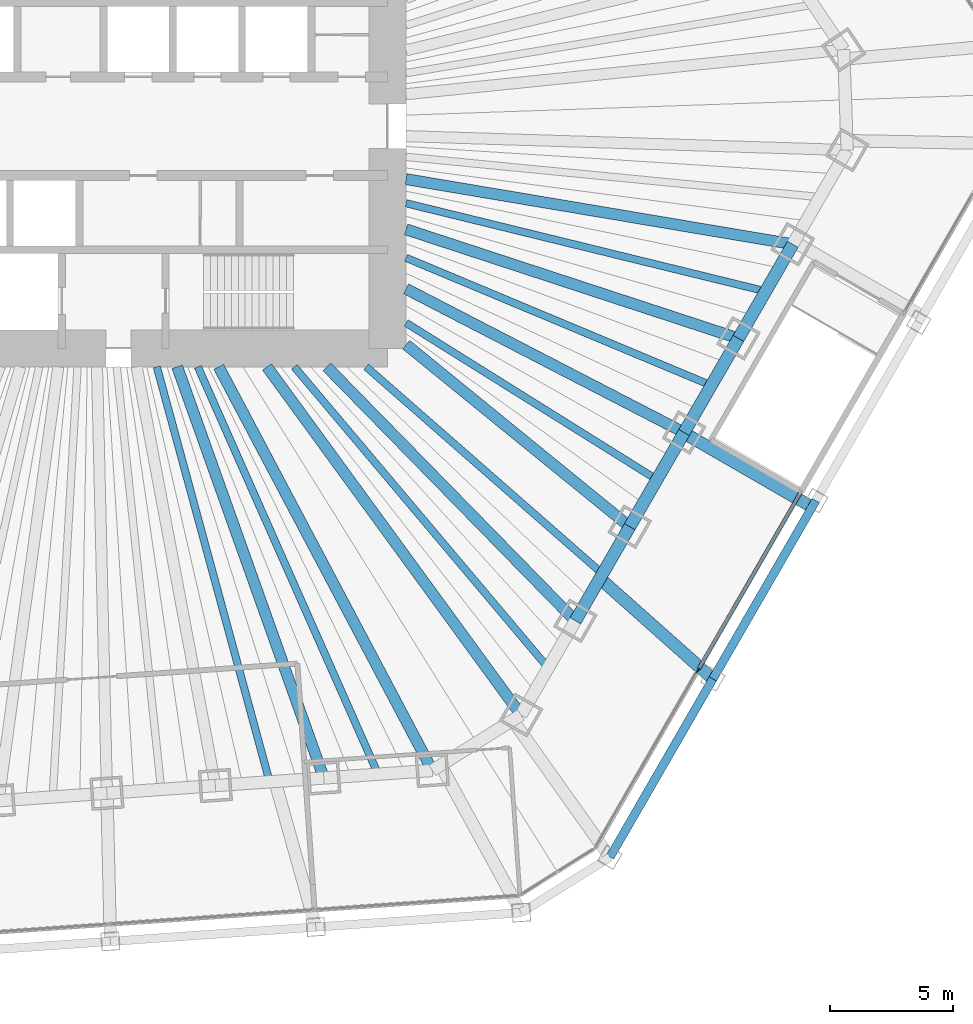
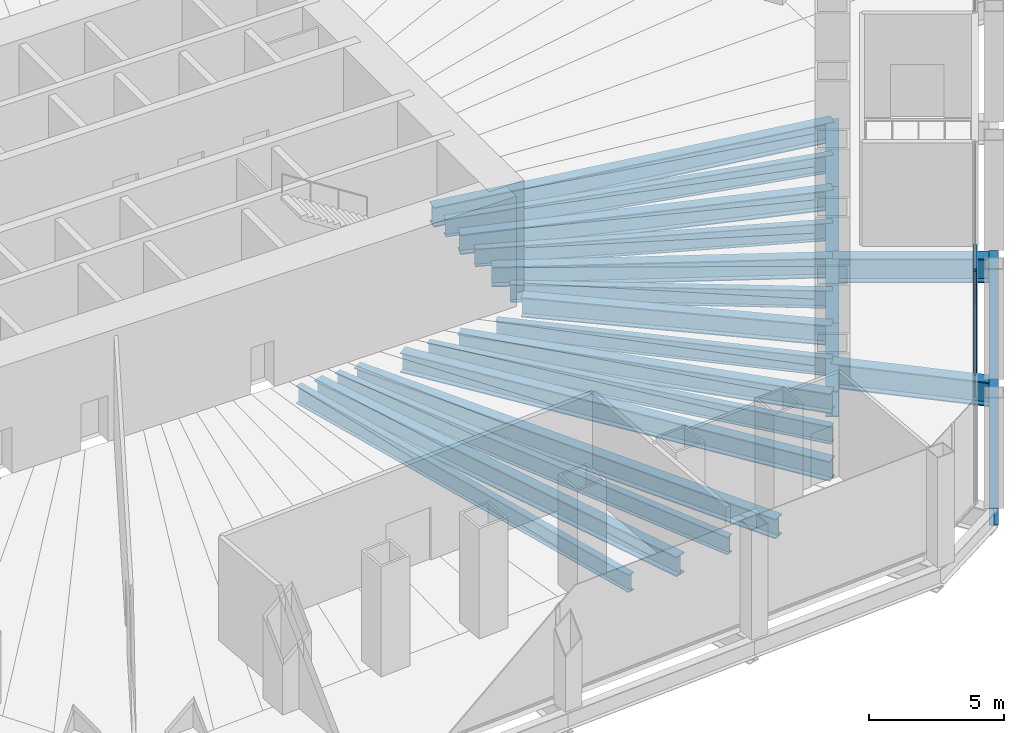
# One storey, part 5 of 18: 23 beams, 2 members, 1 element without a shape of its own.
"""IFC4 building model written with IfcOpenShell, lengths in metres."""

from ifc_helpers import new_model, si_unit, direction, frame, origin, origin_2d, place, context, subcontext, project, spatial, rectangle, i_section, extrude, material, material_profile, profile_set, type_object, element, aggregate, save


model = new_model("IFC4")

# Units and contexts
model_context = context("Model", 3, precision=1e-05, world=origin(), true_north=direction((0.0, 1.0)))
body_context = subcontext(model_context, "Body", "Model", "MODEL_VIEW")
ifc_project = project(units=[si_unit("LENGTHUNIT", "METRE"), si_unit("AREAUNIT", "SQUARE_METRE"), si_unit("VOLUMEUNIT", "CUBIC_METRE"), si_unit("PLANEANGLEUNIT", "RADIAN"), si_unit("MASSUNIT", "GRAM", prefix="KILO")], contexts=[model_context])

# Site, building, storey
site_placement = place(None, origin())
site = spatial("IfcSite", under=ifc_project, at=site_placement, CompositionType="ELEMENT")
building_placement = place(site_placement, origin())
building = spatial("IfcBuilding", under=site, at=building_placement, Name="Qingtian Harvest Tower", CompositionType="ELEMENT")
storey_placement = place(building_placement, frame((0.0, 0.0, 12.0)))
storey = spatial("IfcBuildingStorey", under=building, at=storey_placement, Name="L02", CompositionType="ELEMENT", Elevation=12.0)

# Beams
ifc_material_1 = material(Name="Steel SM570MC", Category="steel")
ifc_material_profile_1 = material_profile(ifc_material_1, i_section(OverallWidth=0.449951171875, OverallDepth=0.89990234375, WebThickness=0.02197265625, FlangeThickness=0.044921875, at=origin_2d()), Name="H900x450x22x45")
ifc_profile_set_1 = profile_set([ifc_material_profile_1], Name="Steel SM570MC")
beam_type_1 = type_object("IfcBeamType", Name="Floor beam FB5 H900x450x22x45", PredefinedType="BEAM", material=ifc_profile_set_1)
beam_1_placement = place(storey_placement, frame((28.416015625, -4.78173828125, -0.699951171875), z_axis=(-0.986135195489, 0.16594389479, 0.0), x_axis=(-0.16594389479, -0.986135195489, 0.0)))
element("IfcBeam", 1, at=beam_1_placement, inside=storey, type_object=beam_type_1, Name="Floor beam FB5 SE1", PredefinedType="BEAM", context=body_context, shape_type="SweptSolid", body=[
    extrude(i_section(OverallWidth=0.449951171875, OverallDepth=0.89990234375, WebThickness=0.02197265625, FlangeThickness=0.044921875, at=origin_2d()), origin(), (0.0, 0.0, 1.0), 15.88623046875),
])
beam_2_placement = place(storey_placement, frame((26.2138671875, -8.596435546875, -0.699951171875), z_axis=(-0.950210724421, 0.311608053803, 0.0), x_axis=(-0.311608053803, -0.950210724421, 0.0)))
element("IfcBeam", 2, at=beam_2_placement, inside=storey, type_object=beam_type_1, Name="Floor beam FB5 SE2", PredefinedType="BEAM", context=body_context, shape_type="SweptSolid", body=[
    extrude(i_section(OverallWidth=0.449951171875, OverallDepth=0.89990234375, WebThickness=0.02197265625, FlangeThickness=0.044921875, at=origin_2d()), origin(), (0.0, 0.0, 1.0), 14.16943359375),
])
beam_3_placement = place(storey_placement, frame((24.011474609375, -12.410888671875, -0.699951171875), z_axis=(-0.888349581519, 0.45916774823, 0.0), x_axis=(-0.45916774823, -0.888349581519, 0.0)))
element("IfcBeam", 3, at=beam_3_placement, inside=storey, type_object=beam_type_1, Name="Floor beam FB5 SE3", PredefinedType="BEAM", context=body_context, shape_type="SweptSolid", body=[
    extrude(i_section(OverallWidth=0.449951171875, OverallDepth=0.89990234375, WebThickness=0.02197265625, FlangeThickness=0.044921875, at=origin_2d()), origin(), (0.0, 0.0, 1.0), 12.6767578125),
])
beam_4_placement = place(storey_placement, frame((21.809326171875, -16.225341796875, -0.699951171875), z_axis=(-0.775504415669, 0.631342142802, 0.0), x_axis=(-0.631342142802, -0.775504415669, 0.0)))
element("IfcBeam", 4, at=beam_4_placement, inside=storey, type_object=beam_type_1, Name="Floor beam FB5 SE4", PredefinedType="BEAM", context=body_context, shape_type="SweptSolid", body=[
    extrude(i_section(OverallWidth=0.449951171875, OverallDepth=0.89990234375, WebThickness=0.02197265625, FlangeThickness=0.044921875, at=origin_2d()), origin(), (0.0, 0.0, 1.0), 11.681884765625),
])
beam_5_placement = place(storey_placement, frame((19.60693359375, -20.039794921875, -0.699951171875), z_axis=(-0.699348221539, 0.714781130858, 0.0), x_axis=(-0.714781130858, -0.699348221539, 0.0)))
element("IfcBeam", 5, at=beam_5_placement, inside=storey, type_object=beam_type_1, Name="Floor beam FB5 SE5", PredefinedType="BEAM", context=body_context, shape_type="SweptSolid", body=[
    extrude(i_section(OverallWidth=0.449951171875, OverallDepth=0.89990234375, WebThickness=0.02197265625, FlangeThickness=0.044921875, at=origin_2d()), origin(), (0.0, 0.0, 1.0), 14.395751953125),
])
beam_6_placement = place(storey_placement, frame((17.404541015625, -23.854248046875, -0.699951171875), z_axis=(-0.58941234871, 0.807832336062, 0.0), x_axis=(-0.807832336062, -0.58941234871, 0.0)))
element("IfcBeam", 6, at=beam_6_placement, inside=storey, type_object=beam_type_1, Name="Floor beam FB5 SE6", PredefinedType="BEAM", context=body_context, shape_type="SweptSolid", body=[
    extrude(i_section(OverallWidth=0.449951171875, OverallDepth=0.89990234375, WebThickness=0.02197265625, FlangeThickness=0.044921875, at=origin_2d()), origin(), (0.0, 0.0, 1.0), 17.45947265625),
])
beam_7_placement = place(storey_placement, frame((13.810546875, -26.10009765625, -0.699951171875), z_axis=(-0.467705182679, 0.883884529843, 0.0), x_axis=(-0.883884529843, -0.467705182679, 0.0)))
element("IfcBeam", 7, at=beam_7_placement, inside=storey, type_object=beam_type_1, Name="Floor beam FB5 S0", PredefinedType="BEAM", context=body_context, shape_type="SweptSolid", body=[
    extrude(i_section(OverallWidth=0.449951171875, OverallDepth=0.89990234375, WebThickness=0.02197265625, FlangeThickness=0.044921875, at=origin_2d()), origin(), (0.0, 0.0, 1.0), 18.498046875),
])
beam_8_placement = place(storey_placement, frame((9.41650390625, -26.407470703125, -0.699951171875), z_axis=(-0.33586498155, 0.941910141239, 0.0), x_axis=(-0.941910141239, -0.33586498155, 0.0)))
element("IfcBeam", 8, at=beam_8_placement, inside=storey, type_object=beam_type_1, Name="Floor beam FB5 S1", PredefinedType="BEAM", context=body_context, shape_type="SweptSolid", body=[
    extrude(i_section(OverallWidth=0.449951171875, OverallDepth=0.89990234375, WebThickness=0.02197265625, FlangeThickness=0.044921875, at=origin_2d()), origin(), (0.0, 0.0, 1.0), 17.684814453125),
])
ifc_material_2 = material(Name="Steel SM570MC", Category="steel")
ifc_material_profile_2 = material_profile(ifc_material_2, i_section(OverallWidth=0.5, OverallDepth=1.10009765625, WebThickness=0.02490234375, FlangeThickness=0.050048828125, at=origin_2d()), Name="H1100x500x25x50")
ifc_profile_set_2 = profile_set([ifc_material_profile_2], Name="Steel SM570MC")
beam_type_2 = type_object("IfcBeamType", Name="Floor beam FB6 H1100x500x25x50", PredefinedType="BEAM", material=ifc_profile_set_2)
beam_9_placement = place(storey_placement, frame((29.197509765625, -15.4287109375, -0.800048828125), z_axis=(-0.866031096941, 0.499990139034, 0.0), x_axis=(-0.499990139034, -0.866031096941, 0.0)))
element("IfcBeam", 9, at=beam_9_placement, inside=storey, type_object=beam_type_2, Name="Podium floor beam FB6 SE2", PredefinedType="BEAM", context=body_context, shape_type="SweptSolid", body=[
    extrude(i_section(OverallWidth=0.5, OverallDepth=1.10009765625, WebThickness=0.02490234375, FlangeThickness=0.050048828125, at=origin_2d()), origin(), (0.0, 0.0, 1.0), 6.0),
])
beam_10_placement = place(storey_placement, frame((25.176513671875, -22.39306640625, -0.800048828125), z_axis=(-0.747204806823, 0.664593843381, 0.0), x_axis=(-0.664593843381, -0.747204806823, 0.0)))
element("IfcBeam", 10, at=beam_10_placement, inside=storey, type_object=beam_type_2, Name="Podium floor beam FB6 SE3", PredefinedType="BEAM", context=body_context, shape_type="SweptSolid", body=[
    extrude(i_section(OverallWidth=0.5, OverallDepth=1.10009765625, WebThickness=0.02490234375, FlangeThickness=0.050048828125, at=origin_2d()), origin(), (0.0, 0.0, 1.0), 6.12646484375),
])
ifc_material_3 = material(Name="Steel SN490B", Category="steel")
ifc_material_profile_3 = material_profile(ifc_material_3, i_section(OverallWidth=0.300048828125, OverallDepth=0.800048828125, WebThickness=0.013916015625, FlangeThickness=0.02587890625, at=origin_2d()), Name="H800x300x14x26")
ifc_profile_set_3 = profile_set([ifc_material_profile_3], Name="Steel SN490B")
beam_type_3 = type_object("IfcBeamType", Name="Floor joist J1 H800x300x14x26", PredefinedType="JOIST", material=ifc_profile_set_3)
beam_11_placement = place(storey_placement, frame((27.31494140625, -6.68896484375, -0.64990234375), z_axis=(-0.971301533706, 0.237851488583, 0.0), x_axis=(-0.237851488583, -0.971301533706, 0.0)))
element("IfcBeam", 11, at=beam_11_placement, inside=storey, type_object=beam_type_3, Name="Floor joist J1 SE1", PredefinedType="JOIST", context=body_context, shape_type="SweptSolid", body=[
    extrude(i_section(OverallWidth=0.300048828125, OverallDepth=0.800048828125, WebThickness=0.013916015625, FlangeThickness=0.02587890625, at=origin_2d()), origin(), (0.0, 0.0, 1.0), 14.995361328125),
])
beam_12_placement = place(storey_placement, frame((25.112548828125, -10.503662109375, -0.64990234375), z_axis=(-0.922550516103, 0.385876334125, 0.0), x_axis=(-0.385876334125, -0.922550516103, 0.0)))
element("IfcBeam", 12, at=beam_12_placement, inside=storey, type_object=beam_type_3, Name="Floor joist J1 SE2", PredefinedType="JOIST", context=body_context, shape_type="SweptSolid", body=[
    extrude(i_section(OverallWidth=0.300048828125, OverallDepth=0.800048828125, WebThickness=0.013916015625, FlangeThickness=0.02587890625, at=origin_2d()), origin(), (0.0, 0.0, 1.0), 13.400390625),
])
beam_13_placement = place(storey_placement, frame((22.910400390625, -14.318115234375, -0.64990234375), z_axis=(-0.848013185461, 0.52997512893, 0.0), x_axis=(-0.52997512893, -0.848013185461, 0.0)))
element("IfcBeam", 13, at=beam_13_placement, inside=storey, type_object=beam_type_3, Name="Floor joist J1 SE3", PredefinedType="JOIST", context=body_context, shape_type="SweptSolid", body=[
    extrude(i_section(OverallWidth=0.300048828125, OverallDepth=0.800048828125, WebThickness=0.013916015625, FlangeThickness=0.02587890625, at=origin_2d()), origin(), (0.0, 0.0, 1.0), 11.9814453125),
])
beam_14_placement = place(storey_placement, frame((20.7080078125, -18.132568359375, -0.64990234375), z_axis=(-0.75234369212, 0.658770801514, 0.0), x_axis=(-0.658770801514, -0.75234369212, 0.0)))
element("IfcBeam", 14, at=beam_14_placement, inside=storey, type_object=beam_type_3, Name="Floor joist J1 SE4", PredefinedType="JOIST", context=body_context, shape_type="SweptSolid", body=[
    extrude(i_section(OverallWidth=0.300048828125, OverallDepth=0.800048828125, WebThickness=0.013916015625, FlangeThickness=0.02587890625, at=origin_2d()), origin(), (0.0, 0.0, 1.0), 12.724609375),
])
beam_15_placement = place(storey_placement, frame((18.505859375, -21.947021484375, -0.64990234375), z_axis=(-0.644630398038, 0.76449437534, 0.0), x_axis=(-0.76449437534, -0.644630398038, 0.0)))
element("IfcBeam", 15, at=beam_15_placement, inside=storey, type_object=beam_type_3, Name="Floor joist J1 SE5", PredefinedType="JOIST", context=body_context, shape_type="SweptSolid", body=[
    extrude(i_section(OverallWidth=0.300048828125, OverallDepth=0.800048828125, WebThickness=0.013916015625, FlangeThickness=0.02587890625, at=origin_2d()), origin(), (0.0, 0.0, 1.0), 15.954345703125),
])
beam_16_placement = place(storey_placement, frame((11.613525390625, -26.25390625, -0.64990234375), z_axis=(-0.404539958959, 0.914520323233, 0.0), x_axis=(-0.914520323233, -0.404539958959, 0.0)))
element("IfcBeam", 16, at=beam_16_placement, inside=storey, type_object=beam_type_3, Name="Floor joist J1 S0", PredefinedType="JOIST", context=body_context, shape_type="SweptSolid", body=[
    extrude(i_section(OverallWidth=0.300048828125, OverallDepth=0.800048828125, WebThickness=0.013916015625, FlangeThickness=0.02587890625, at=origin_2d()), origin(), (0.0, 0.0, 1.0), 18.046630859375),
])
beam_17_placement = place(storey_placement, frame((7.2197265625, -26.56103515625, -0.64990234375), z_axis=(-0.262302659247, 0.964985655309, 0.0), x_axis=(-0.964985655309, -0.262302659247, 0.0)))
element("IfcBeam", 17, at=beam_17_placement, inside=storey, type_object=beam_type_3, Name="Floor joist J1 S1", PredefinedType="JOIST", context=body_context, shape_type="SweptSolid", body=[
    extrude(i_section(OverallWidth=0.300048828125, OverallDepth=0.800048828125, WebThickness=0.013916015625, FlangeThickness=0.02587890625, at=origin_2d()), origin(), (0.0, 0.0, 1.0), 17.421142578125),
])

# Curtain wall, member
ifc_material_4 = material(Name="Bronze-anodised aluminium curtain wall", Category="aluminium")
curtain_wall_type = type_object("IfcCurtainWallType", Name="Curtain wall CW1 podium shopfront", PredefinedType="USERDEFINED", material=ifc_material_4)
curtain_wall_placement = place(storey_placement, origin())
curtain_wall = element("IfcCurtainWall", 18, at=curtain_wall_placement, inside=storey, type_object=curtain_wall_type, Name="Curtain wall CW1 L02 SE2-3", ObjectType="RECESSED CURTAIN WALL", PredefinedType="USERDEFINED")
ifc_material_5 = material(Name="Bronze-anodised aluminium mullion", Category="aluminium")
ifc_material_profile_4 = material_profile(ifc_material_5, rectangle(XDim=0.06494140625, YDim=0.199951171875, at=origin_2d()), Name="AL 65x200")
ifc_profile_set_4 = profile_set([ifc_material_profile_4], Name="Bronze-anodised aluminium mullion")
member_type_1 = type_object("IfcMemberType", Name="Mullion CWM 65x200", PredefinedType="MULLION", material=ifc_profile_set_4)
member_1_placement = place(storey_placement, frame((24.5703125, -22.04296875, 0.0), z_axis=(0.0, 0.0, 1.0), x_axis=(0.866025403784, -0.5, 0.0)))
member_1 = element("IfcMember", 19, at=member_1_placement, type_object=member_type_1, Name="CW1 mullion 2", PredefinedType="MULLION", context=body_context, shape_type="SweptSolid", body=[
    extrude(rectangle(XDim=0.06494140625, YDim=0.199951171875, at=origin_2d()), origin(), (0.0, 0.0, 1.0), 4.699951171875),
])

# Beams
ifc_material_6 = material(Name="Steel SN490B", Category="steel")
ifc_material_profile_5 = material_profile(ifc_material_6, i_section(OverallWidth=0.35009765625, OverallDepth=0.800048828125, WebThickness=0.01611328125, FlangeThickness=0.028076171875, at=origin_2d()), Name="H800x350x16x28")
ifc_profile_set_5 = profile_set([ifc_material_profile_5], Name="Steel SN490B")
beam_type_4 = type_object("IfcBeamType", Name="Podium beam PB1 H800x350x16x28", PredefinedType="BEAM", material=ifc_profile_set_5)
beam_18_placement = place(storey_placement, frame((29.347412109375, -15.168701171875, -0.64990234375), z_axis=(-0.499991838624, -0.866030115706, 0.0), x_axis=(0.866030115706, -0.499991838624, 0.0)))
element("IfcBeam", 20, at=beam_18_placement, inside=storey, type_object=beam_type_4, Name="Podium edge beam PB1 SE2", PredefinedType="BEAM", context=body_context, shape_type="SweptSolid", body=[
    extrude(i_section(OverallWidth=0.35009765625, OverallDepth=0.800048828125, WebThickness=0.01611328125, FlangeThickness=0.028076171875, at=origin_2d()), origin(), (0.0, 0.0, 1.0), 8.342041015625),
])
beam_19_placement = place(storey_placement, frame((25.176513671875, -22.39306640625, -0.64990234375), z_axis=(-0.500004511595, -0.866022798998, 0.0), x_axis=(0.866022798998, -0.500004511595, 0.0)))
element("IfcBeam", 21, at=beam_19_placement, inside=storey, type_object=beam_type_4, Name="Podium edge beam PB1 SE3", PredefinedType="BEAM", context=body_context, shape_type="SweptSolid", body=[
    extrude(i_section(OverallWidth=0.35009765625, OverallDepth=0.800048828125, WebThickness=0.01611328125, FlangeThickness=0.028076171875, at=origin_2d()), origin(), (0.0, 0.0, 1.0), 8.341796875),
])
ifc_material_7 = material(Name="Steel SM570MC", Category="steel")
ifc_material_profile_6 = material_profile(ifc_material_7, i_section(OverallWidth=0.5, OverallDepth=1.199951171875, WebThickness=0.02490234375, FlangeThickness=0.050048828125, at=origin_2d()), Name="H1200x500x25x50")
ifc_profile_set_6 = profile_set([ifc_material_profile_6], Name="Steel SM570MC")
beam_type_5 = type_object("IfcBeamType", Name="Spandrel beam SB1 H1200x500x25x50", PredefinedType="SPANDREL", material=ifc_profile_set_6)
beam_20_placement = place(storey_placement, frame((28.416015625, -4.78173828125, -0.85009765625), z_axis=(-0.499954356739, -0.86605175433, 0.0), x_axis=(0.86605175433, -0.499954356739, 0.0)))
element("IfcBeam", 22, at=beam_20_placement, inside=storey, type_object=beam_type_5, Name="Spandrel SB1 SE1", PredefinedType="SPANDREL", context=body_context, shape_type="SweptSolid", body=[
    extrude(i_section(OverallWidth=0.5, OverallDepth=1.199951171875, WebThickness=0.02490234375, FlangeThickness=0.050048828125, at=origin_2d()), origin(), (0.0, 0.0, 1.0), 4.40478515625),
])
for number, where, z_axis, x_axis, name in (
    (23, (26.2138671875, -8.596435546875, -0.85009765625), (-0.50001992892, -0.866013897511, 0.0), (0.866013897511, -0.50001992892, 0.0), "Spandrel SB1 SE2"),
    (24, (24.011474609375, -12.410888671875, -0.85009765625), (-0.499978356969, -0.866037899034, 0.0), (0.866037899034, -0.499978356969, 0.0), "Spandrel SB1 SE3"),
    (25, (21.809326171875, -16.225341796875, -0.85009765625), (-0.50001992892, -0.866013897511, 0.0), (0.866013897511, -0.50001992892, 0.0), "Spandrel SB1 SE4"),
):
    element("IfcBeam", number, at=place(storey_placement, frame(where, z_axis=z_axis, x_axis=x_axis)), inside=storey, type_object=beam_type_5, Name=name, PredefinedType="SPANDREL", context=body_context, shape_type="SweptSolid", body=[
        extrude(i_section(OverallWidth=0.5, OverallDepth=1.199951171875, WebThickness=0.02490234375, FlangeThickness=0.050048828125, at=origin_2d()), origin(), (0.0, 0.0, 1.0), 4.404541015625),
    ])

# Member
ifc_material_8 = material(Name="Bronze-anodised aluminium transom", Category="aluminium")
ifc_material_profile_7 = material_profile(ifc_material_8, rectangle(XDim=0.14990234375, YDim=0.06494140625, at=origin_2d()), Name="AL 65x150")
ifc_profile_set_7 = profile_set([ifc_material_profile_7], Name="Bronze-anodised aluminium transom")
member_type_2 = type_object("IfcMemberType", Name="Transom CWT 65x150", PredefinedType="USERDEFINED", material=ifc_profile_set_7)
member_2_placement = place(storey_placement, frame((28.708740234375, -14.875, 0.032470703125), z_axis=(-0.499986482571, -0.866033207935, 0.0), x_axis=(0.866033207935, -0.499986482571, 0.0)))
member_2 = element("IfcMember", 26, at=member_2_placement, type_object=member_type_2, Name="CW1 transom 1.1", ObjectType="TRANSOM", PredefinedType="USERDEFINED", context=body_context, shape_type="SweptSolid", body=[
    extrude(rectangle(XDim=0.14990234375, YDim=0.06494140625, at=origin_2d()), origin(), (0.0, 0.0, 1.0), 8.244384765625),
])

aggregate(curtain_wall, [member_1, member_2])

save(model, "model.ifc")
